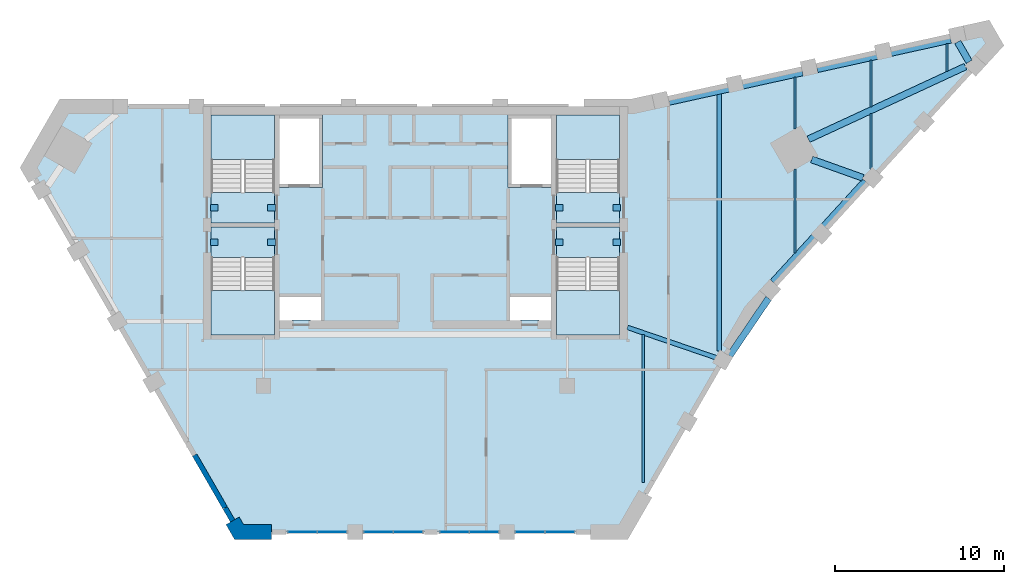
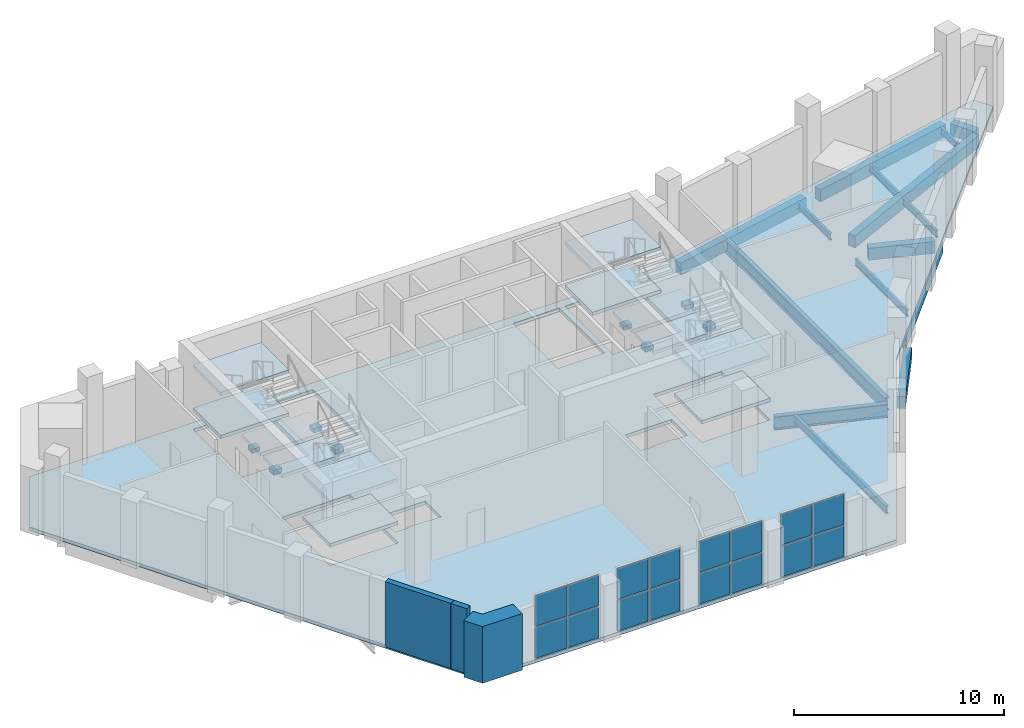
# One storey, part 3 of 9: 23 beams, 16 plates, 13 slabs, 3 walls, 8 elements without a shape of their own.
"""IFC4 building model written with IfcOpenShell, lengths in metres."""

from ifc_helpers import new_model, si_unit, direction, frame, frame_2d, origin, origin_2d, place, context, subcontext, project, spatial, polyline, rectangle, i_section, outline, extrude, material, layer, layer_set, material_profile, profile_set, type_object, element, aggregate, save


model = new_model("IFC4")

# Units and contexts
model_context = context("Model", 3, precision=1e-05, world=origin(), true_north=direction((0.0, 1.0)))
body_context = subcontext(model_context, "Body", "Model", "MODEL_VIEW")
ifc_project = project(units=[si_unit("LENGTHUNIT", "METRE"), si_unit("AREAUNIT", "SQUARE_METRE"), si_unit("VOLUMEUNIT", "CUBIC_METRE"), si_unit("PLANEANGLEUNIT", "RADIAN"), si_unit("MASSUNIT", "GRAM", prefix="KILO")], contexts=[model_context])

# Site, building, storey
site_placement = place(None, origin())
site = spatial("IfcSite", under=ifc_project, at=site_placement, CompositionType="ELEMENT")
building_placement = place(site_placement, origin())
building = spatial("IfcBuilding", under=site, at=building_placement, Name="Calabash Gate Tower", CompositionType="ELEMENT")
storey_placement = place(building_placement, frame((0.0, 0.0, 325.5)))
storey = spatial("IfcBuildingStorey", under=building, at=storey_placement, Name="L76", CompositionType="ELEMENT", Elevation=325.5)

# Beams
ifc_material_1 = material(Name="Concrete C50/60", Category="concrete")
ifc_material_profile_1 = material_profile(ifc_material_1, rectangle(XDim=0.39990234375, YDim=0.699951171875, at=origin_2d()))
ifc_profile_set_1 = profile_set([ifc_material_profile_1], Name="Concrete C50/60")
beam_type_1 = type_object("IfcBeamType", Name="Edge beam RC 400x700 Concrete C50/60", PredefinedType="BEAM", material=ifc_profile_set_1)
beam_1_placement = place(storey_placement, frame((18.623046875, 4.283935546875, -0.550048828125), z_axis=(0.561853107026, 0.827237019315, 0.0), x_axis=(-0.827237019315, 0.561853107026, 0.0)))
element("IfcBeam", 1, at=beam_1_placement, inside=storey, type_object=beam_type_1, Name="Edge beam L76 1", PredefinedType="BEAM", context=body_context, shape_type="SweptSolid", body=[
    extrude(rectangle(XDim=0.39990234375, YDim=0.699951171875, at=origin_2d()), origin(), (0.0, 0.0, 1.0), 4.107666015625),
])
beam_2_placement = place(storey_placement, frame((21.18701171875, 8.652099609375, -0.550048828125), z_axis=(0.674873802315, 0.737933161573, 0.0), x_axis=(-0.737933161573, 0.674873802315, 0.0)))
element("IfcBeam", 2, at=beam_2_placement, inside=storey, type_object=beam_type_1, Name="Edge beam L76 2", PredefinedType="BEAM", context=body_context, shape_type="SweptSolid", body=[
    extrude(rectangle(XDim=0.39990234375, YDim=0.699951171875, at=origin_2d()), origin(), (0.0, 0.0, 1.0), 8.099365234375),
])
beam_3_placement = place(storey_placement, frame((26.51904296875, 14.822998046875, -0.550048828125), z_axis=(-0.941568596034, 0.336821286386, 0.0), x_axis=(-0.336821286386, -0.941568596034, 0.0)))
element("IfcBeam", 3, at=beam_3_placement, inside=storey, type_object=beam_type_1, Name="Edge beam L76 3", PredefinedType="BEAM", context=body_context, shape_type="SweptSolid", body=[
    extrude(rectangle(XDim=0.39990234375, YDim=0.699951171875, at=origin_2d()), origin(), (0.0, 0.0, 1.0), 3.22119140625),
])
beam_4_placement = place(storey_placement, frame((23.2919921875, 17.10693359375, -0.550048828125), z_axis=(0.907348038584, 0.420380228933, 0.0), x_axis=(-0.420380228933, 0.907348038584, 0.0)))
element("IfcBeam", 4, at=beam_4_placement, inside=storey, type_object=beam_type_1, Name="Edge beam L76 4", PredefinedType="BEAM", context=body_context, shape_type="SweptSolid", body=[
    extrude(rectangle(XDim=0.39990234375, YDim=0.699951171875, at=origin_2d()), origin(), (0.0, 0.0, 1.0), 10.255126953125),
])
beam_5_placement = place(storey_placement, frame((32.81591796875, 21.694091796875, -0.550048828125), z_axis=(-0.499903734186, 0.866080975745, 0.0), x_axis=(-0.866080975745, -0.499903734186, 0.0)))
element("IfcBeam", 5, at=beam_5_placement, inside=storey, type_object=beam_type_1, Name="Edge beam L76 5", PredefinedType="BEAM", context=body_context, shape_type="SweptSolid", body=[
    extrude(rectangle(XDim=0.39990234375, YDim=0.699951171875, at=origin_2d()), origin(), (0.0, 0.0, 1.0), 1.360107421875),
])
beam_6_placement = place(storey_placement, frame((31.72705078125, 23.006103515625, -0.550048828125), z_axis=(-0.976492437334, -0.215551663945, 0.0), x_axis=(0.215551663945, -0.976492437334, 0.0)))
element("IfcBeam", 6, at=beam_6_placement, inside=storey, type_object=beam_type_1, Name="Edge beam L76 6", PredefinedType="BEAM", context=body_context, shape_type="SweptSolid", body=[
    extrude(rectangle(XDim=0.39990234375, YDim=0.699951171875, at=origin_2d()), origin(), (0.0, 0.0, 1.0), 8.1005859375),
])
beam_7_placement = place(storey_placement, frame((22.93603515625, 21.06591796875, -0.550048828125), z_axis=(-0.976517152373, -0.215439669332, 0.0), x_axis=(0.215439669332, -0.976517152373, 0.0)))
element("IfcBeam", 7, at=beam_7_placement, inside=storey, type_object=beam_type_1, Name="Edge beam L76 7", PredefinedType="BEAM", context=body_context, shape_type="SweptSolid", body=[
    extrude(rectangle(XDim=0.39990234375, YDim=0.699951171875, at=origin_2d()), origin(), (0.0, 0.0, 1.0), 8.09912109375),
])
ifc_material_2 = material(Name="Steel ASTM A992 Gr50", Category="steel")
ifc_material_profile_2 = material_profile(ifc_material_2, i_section(OverallWidth=0.1396484375, OverallDepth=0.398681640625, WebThickness=0.00634765625, FlangeThickness=0.0087890625, FilletRadius=0.01025390625, at=origin_2d()))
ifc_profile_set_2 = profile_set([ifc_material_profile_2], Name="Steel ASTM A992 Gr50")
beam_type_2 = type_object("IfcBeamType", Name="Floor beam W16x26 ASTM A992 Gr50", PredefinedType="BEAM", material=ifc_profile_set_2)
beam_8_placement = place(storey_placement, frame((22.5, 10.3720703125, -0.39892578125), z_axis=(0.0, 1.0, 0.0), x_axis=(-1.0, 0.0, 0.0)))
element("IfcBeam", 8, at=beam_8_placement, inside=storey, type_object=beam_type_2, Name="Floor beam L76 7", PredefinedType="BEAM", context=body_context, shape_type="SweptSolid", body=[
    extrude(i_section(OverallWidth=0.1396484375, OverallDepth=0.398681640625, WebThickness=0.00634765625, FlangeThickness=0.0087890625, FilletRadius=0.01025390625, at=origin_2d()), origin(), (0.0, 0.0, 1.0), 4.969970703125),
])
beam_9_placement = place(storey_placement, frame((22.5, 17.702880859375, -0.39892578125), z_axis=(0.0, 1.0, 0.0), x_axis=(-1.0, 0.0, 0.0)))
element("IfcBeam", 9, at=beam_9_placement, inside=storey, type_object=beam_type_2, Name="Floor beam L76 8", PredefinedType="BEAM", context=body_context, shape_type="SweptSolid", body=[
    extrude(i_section(OverallWidth=0.1396484375, OverallDepth=0.398681640625, WebThickness=0.00634765625, FlangeThickness=0.0087890625, FilletRadius=0.01025390625, at=origin_2d()), origin(), (0.0, 0.0, 1.0), 3.09423828125),
])
beam_10_placement = place(storey_placement, frame((27.0, 15.35693359375, -0.39892578125), z_axis=(0.0, 1.0, 0.0), x_axis=(-1.0, 0.0, 0.0)))
element("IfcBeam", 10, at=beam_10_placement, inside=storey, type_object=beam_type_2, Name="Floor beam L76 9", PredefinedType="BEAM", context=body_context, shape_type="SweptSolid", body=[
    extrude(i_section(OverallWidth=0.1396484375, OverallDepth=0.398681640625, WebThickness=0.00634765625, FlangeThickness=0.0087890625, FilletRadius=0.01025390625, at=origin_2d()), origin(), (0.0, 0.0, 1.0), 3.27001953125),
])
beam_11_placement = place(storey_placement, frame((27.0, 19.02197265625, -0.39892578125), z_axis=(0.0, 1.0, 0.0), x_axis=(-1.0, 0.0, 0.0)))
element("IfcBeam", 11, at=beam_11_placement, inside=storey, type_object=beam_type_2, Name="Floor beam L76 10", PredefinedType="BEAM", context=body_context, shape_type="SweptSolid", body=[
    extrude(i_section(OverallWidth=0.1396484375, OverallDepth=0.398681640625, WebThickness=0.00634765625, FlangeThickness=0.0087890625, FilletRadius=0.01025390625, at=origin_2d()), origin(), (0.0, 0.0, 1.0), 2.76806640625),
])
beam_12_placement = place(storey_placement, frame((31.5, 21.10888671875, -0.39892578125), z_axis=(0.0, 1.0, 0.0), x_axis=(-1.0, 0.0, 0.0)))
element("IfcBeam", 12, at=beam_12_placement, inside=storey, type_object=beam_type_2, Name="Floor beam L76 11", PredefinedType="BEAM", context=body_context, shape_type="SweptSolid", body=[
    extrude(i_section(OverallWidth=0.1396484375, OverallDepth=0.398681640625, WebThickness=0.00634765625, FlangeThickness=0.0087890625, FilletRadius=0.01025390625, at=origin_2d()), origin(), (0.0, 0.0, 1.0), 1.674072265625),
])
ifc_material_3 = material(Name="Steel ASTM A992 Gr50", Category="steel")
ifc_material_profile_3 = material_profile(ifc_material_3, i_section(OverallWidth=0.15234375, OverallDepth=0.44970703125, WebThickness=0.007568359375, FlangeThickness=0.0107421875, FilletRadius=0.01025390625, at=origin_2d()))
ifc_profile_set_3 = profile_set([ifc_material_profile_3], Name="Steel ASTM A992 Gr50")
beam_type_3 = type_object("IfcBeamType", Name="Floor beam W18x35 ASTM A992 Gr50", PredefinedType="BEAM", material=ifc_profile_set_3)
beam_13_placement = place(storey_placement, frame((13.5, -3.2470703125, -0.423095703125), z_axis=(0.0, 1.0, 0.0), x_axis=(-1.0, 0.0, 0.0)))
element("IfcBeam", 13, at=beam_13_placement, inside=storey, type_object=beam_type_3, Name="Floor beam L76 5", PredefinedType="BEAM", context=body_context, shape_type="SweptSolid", body=[
    extrude(i_section(OverallWidth=0.15234375, OverallDepth=0.44970703125, WebThickness=0.007568359375, FlangeThickness=0.0107421875, FilletRadius=0.01025390625, at=origin_2d()), origin(), (0.0, 0.0, 1.0), 8.778076171875),
])
ifc_material_4 = material(Name="Steel ASTM A992 Gr50", Category="steel")
ifc_material_profile_4 = material_profile(ifc_material_4, i_section(OverallWidth=0.2666015625, OverallDepth=0.7568359375, WebThickness=0.013916015625, FlangeThickness=0.019287109375, FilletRadius=0.0166015625, at=origin_2d()))
ifc_profile_set_4 = profile_set([ifc_material_profile_4], Name="Steel ASTM A992 Gr50")
beam_type_4 = type_object("IfcBeamType", Name="Floor beam W30x108 ASTM A992 Gr50", PredefinedType="BEAM", material=ifc_profile_set_4)
beam_14_placement = place(storey_placement, frame((18.0, 4.547119140625, -0.577880859375), z_axis=(0.0, 1.0, 0.0), x_axis=(-1.0, 0.0, 0.0)))
element("IfcBeam", 14, at=beam_14_placement, inside=storey, type_object=beam_type_4, Name="Floor beam L76 6", PredefinedType="BEAM", context=body_context, shape_type="SweptSolid", body=[
    extrude(i_section(OverallWidth=0.2666015625, OverallDepth=0.7568359375, WebThickness=0.013916015625, FlangeThickness=0.019287109375, FilletRadius=0.0166015625, at=origin_2d()), origin(), (0.0, 0.0, 1.0), 15.2568359375),
])
ifc_material_5 = material(Name="Steel ASTM A992 Gr50", Category="steel")
ifc_material_profile_5 = material_profile(ifc_material_5, i_section(OverallWidth=0.2666015625, OverallDepth=0.77978515625, WebThickness=0.0166015625, FlangeThickness=0.030029296875, FilletRadius=0.0166015625, at=origin_2d()))
ifc_profile_set_5 = profile_set([ifc_material_profile_5], Name="Steel ASTM A992 Gr50")
beam_type_5 = type_object("IfcBeamType", Name="Girder W30x148 ASTM A992 Gr50", PredefinedType="BEAM", material=ifc_profile_set_5)
beam_15_placement = place(storey_placement, frame((17.803955078125, 4.16796875, -0.590087890625), z_axis=(-0.946191727355, 0.323606574539, 0.0), x_axis=(-0.323606574539, -0.946191727355, 0.0)))
element("IfcBeam", 15, at=beam_15_placement, inside=storey, type_object=beam_type_5, Name="Girder L76 3", PredefinedType="BEAM", context=body_context, shape_type="SweptSolid", body=[
    extrude(i_section(OverallWidth=0.2666015625, OverallDepth=0.77978515625, WebThickness=0.0166015625, FlangeThickness=0.030029296875, FilletRadius=0.0166015625, at=origin_2d()), origin(), (0.0, 0.0, 1.0), 5.531494140625),
])
ifc_material_6 = material(Name="Concrete C60/75", Category="concrete")
ifc_material_profile_6 = material_profile(ifc_material_6, rectangle(XDim=0.39990234375, YDim=0.25, at=origin_2d()))
ifc_profile_set_6 = profile_set([ifc_material_profile_6], Name="Concrete C60/75")
beam_type_6 = type_object("IfcBeamType", Name="Landing corbel RC 400x250 Concrete C60/75", PredefinedType="BEAM", material=ifc_profile_set_6)
for number, where, z_axis, x_axis, name in (
    (16, (-12.14990234375, 13.052978515625, 2.174072265625), (1.0, 0.0, 0.0), (0.0, 1.0, 0.0), "Landing corbel ST1-L76/L2 west"),
    (17, (-8.300048828125, 13.052978515625, 2.174072265625), (-1.0, 0.0, 0.0), (0.0, -1.0, 0.0), "Landing corbel ST1-L76/L2 east"),
    (18, (-12.14990234375, 11.0029296875, 2.174072265625), (1.0, 0.0, 0.0), (0.0, 1.0, 0.0), "Landing corbel ST2-L76/L2 west"),
    (19, (-8.300048828125, 11.0029296875, 2.174072265625), (-1.0, 0.0, 0.0), (0.0, -1.0, 0.0), "Landing corbel ST2-L76/L2 east"),
    (20, (8.300048828125, 13.052978515625, 2.174072265625), (1.0, 0.0, 0.0), (0.0, 1.0, 0.0), "Landing corbel ST3-L76/L2 west"),
    (21, (12.14990234375, 13.052978515625, 2.174072265625), (-1.0, 0.0, 0.0), (0.0, -1.0, 0.0), "Landing corbel ST3-L76/L2 east"),
    (22, (8.300048828125, 11.0029296875, 2.174072265625), (1.0, 0.0, 0.0), (0.0, 1.0, 0.0), "Landing corbel ST4-L76/L2 west"),
    (23, (12.14990234375, 11.0029296875, 2.174072265625), (-1.0, 0.0, 0.0), (0.0, -1.0, 0.0), "Landing corbel ST4-L76/L2 east"),
):
    element("IfcBeam", number, at=place(storey_placement, frame(where, z_axis=z_axis, x_axis=x_axis)), inside=storey, type_object=beam_type_6, Name=name, PredefinedType="BEAM", context=body_context, shape_type="SweptSolid", body=[
        extrude(rectangle(XDim=0.39990234375, YDim=0.25, at=origin_2d()), origin(), (0.0, 0.0, 1.0), 0.449951171875),
    ])

# Curtain wall, plates
ifc_material_7 = material(Name="Anodised aluminium frame, bronze finish, clear laminated impact-rated glazing", Category="aluminium")
curtain_wall_type = type_object("IfcCurtainWallType", Name="Curtain wall CWV crown wall", PredefinedType="NOTDEFINED", material=ifc_material_7)
curtain_wall_1_placement = place(storey_placement, origin())
curtain_wall_1 = element("IfcCurtainWall", 24, at=curtain_wall_1_placement, inside=storey, type_object=curtain_wall_type, Name="Curtain wall CWV L76 crown1.1", PredefinedType="NOTDEFINED")
ifc_material_8 = material(Name="Clear laminated impact-rated glazing", Category="glass")
ifc_layer_1 = layer(ifc_material_8, 0.0439453125)
ifc_layer_set_1 = layer_set([ifc_layer_1], Name="Glass panel CWV 44")
plate_type = type_object("IfcPlateType", Name="Glass panel CWV 44", PredefinedType="CURTAIN_PANEL", material=ifc_layer_set_1)
plate_1_placement = place(storey_placement, frame((-6.6953125, -6.1630859375, 0.074951171875), z_axis=(0.0, 0.0, 1.0), x_axis=(1.0, 0.0, 0.0)))
plate_1 = element("IfcPlate", 25, at=plate_1_placement, type_object=plate_type, Name="CWV panel 1.1", PredefinedType="CURTAIN_PANEL", context=body_context, shape_type="SweptSolid", body=[
    extrude(rectangle(XDim=1.6875, YDim=0.0439453125, at=origin_2d()), origin(), (0.0, 0.0, 1.0), 1.78759765625),
])
plate_2_placement = place(storey_placement, frame((-6.6953125, -6.1630859375, 1.9375), z_axis=(0.0, 0.0, 1.0), x_axis=(1.0, 0.0, 0.0)))
plate_2 = element("IfcPlate", 26, at=plate_2_placement, type_object=plate_type, Name="CWV panel 1.2", PredefinedType="CURTAIN_PANEL", context=body_context, shape_type="SweptSolid", body=[
    extrude(rectangle(XDim=1.6875, YDim=0.0439453125, at=origin_2d()), origin(), (0.0, 0.0, 1.0), 1.78759765625),
])
plate_3_placement = place(storey_placement, frame((-4.932861328125, -6.1630859375, 0.074951171875), z_axis=(0.0, 0.0, 1.0), x_axis=(1.0, 0.0, 0.0)))
plate_3 = element("IfcPlate", 27, at=plate_3_placement, type_object=plate_type, Name="CWV panel 2.1", PredefinedType="CURTAIN_PANEL", context=body_context, shape_type="SweptSolid", body=[
    extrude(rectangle(XDim=1.6875, YDim=0.0439453125, at=origin_2d()), origin(), (0.0, 0.0, 1.0), 1.78759765625),
])
plate_4_placement = place(storey_placement, frame((-4.932861328125, -6.1630859375, 1.9375), z_axis=(0.0, 0.0, 1.0), x_axis=(1.0, 0.0, 0.0)))
plate_4 = element("IfcPlate", 28, at=plate_4_placement, type_object=plate_type, Name="CWV panel 2.2", PredefinedType="CURTAIN_PANEL", context=body_context, shape_type="SweptSolid", body=[
    extrude(rectangle(XDim=1.6875, YDim=0.0439453125, at=origin_2d()), origin(), (0.0, 0.0, 1.0), 1.78759765625),
])
aggregate(curtain_wall_1, [plate_1, plate_2, plate_3, plate_4])

curtain_wall_2_placement = place(storey_placement, origin())
curtain_wall_2 = element("IfcCurtainWall", 29, at=curtain_wall_2_placement, inside=storey, type_object=curtain_wall_type, Name="Curtain wall CWV L76 crown1.2", PredefinedType="NOTDEFINED")
plate_5_placement = place(storey_placement, frame((-2.1953125, -6.1630859375, 0.074951171875), z_axis=(0.0, 0.0, 1.0), x_axis=(1.0, 0.0, 0.0)))
plate_5 = element("IfcPlate", 30, at=plate_5_placement, type_object=plate_type, Name="CWV panel 1.1", PredefinedType="CURTAIN_PANEL", context=body_context, shape_type="SweptSolid", body=[
    extrude(rectangle(XDim=1.6875, YDim=0.0439453125, at=origin_2d()), origin(), (0.0, 0.0, 1.0), 1.78759765625),
])
plate_6_placement = place(storey_placement, frame((-2.1953125, -6.1630859375, 1.9375), z_axis=(0.0, 0.0, 1.0), x_axis=(1.0, 0.0, 0.0)))
plate_6 = element("IfcPlate", 31, at=plate_6_placement, type_object=plate_type, Name="CWV panel 1.2", PredefinedType="CURTAIN_PANEL", context=body_context, shape_type="SweptSolid", body=[
    extrude(rectangle(XDim=1.6875, YDim=0.0439453125, at=origin_2d()), origin(), (0.0, 0.0, 1.0), 1.78759765625),
])
plate_7_placement = place(storey_placement, frame((-0.432861328125, -6.1630859375, 0.074951171875), z_axis=(0.0, 0.0, 1.0), x_axis=(1.0, 0.0, 0.0)))
plate_7 = element("IfcPlate", 32, at=plate_7_placement, type_object=plate_type, Name="CWV panel 2.1", PredefinedType="CURTAIN_PANEL", context=body_context, shape_type="SweptSolid", body=[
    extrude(rectangle(XDim=1.6875, YDim=0.0439453125, at=origin_2d()), origin(), (0.0, 0.0, 1.0), 1.78759765625),
])
plate_8_placement = place(storey_placement, frame((-0.432861328125, -6.1630859375, 1.9375), z_axis=(0.0, 0.0, 1.0), x_axis=(1.0, 0.0, 0.0)))
plate_8 = element("IfcPlate", 33, at=plate_8_placement, type_object=plate_type, Name="CWV panel 2.2", PredefinedType="CURTAIN_PANEL", context=body_context, shape_type="SweptSolid", body=[
    extrude(rectangle(XDim=1.6875, YDim=0.0439453125, at=origin_2d()), origin(), (0.0, 0.0, 1.0), 1.78759765625),
])
aggregate(curtain_wall_2, [plate_5, plate_6, plate_7, plate_8])

curtain_wall_3_placement = place(storey_placement, origin())
curtain_wall_3 = element("IfcCurtainWall", 34, at=curtain_wall_3_placement, inside=storey, type_object=curtain_wall_type, Name="Curtain wall CWV L76 crown1.3", PredefinedType="NOTDEFINED")
plate_9_placement = place(storey_placement, frame((2.3046875, -6.1630859375, 0.074951171875), z_axis=(0.0, 0.0, 1.0), x_axis=(1.0, 0.0, 0.0)))
plate_9 = element("IfcPlate", 35, at=plate_9_placement, type_object=plate_type, Name="CWV panel 1.1", PredefinedType="CURTAIN_PANEL", context=body_context, shape_type="SweptSolid", body=[
    extrude(rectangle(XDim=1.6875, YDim=0.0439453125, at=origin_2d()), origin(), (0.0, 0.0, 1.0), 1.78759765625),
])
plate_10_placement = place(storey_placement, frame((2.3046875, -6.1630859375, 1.9375), z_axis=(0.0, 0.0, 1.0), x_axis=(1.0, 0.0, 0.0)))
plate_10 = element("IfcPlate", 36, at=plate_10_placement, type_object=plate_type, Name="CWV panel 1.2", PredefinedType="CURTAIN_PANEL", context=body_context, shape_type="SweptSolid", body=[
    extrude(rectangle(XDim=1.6875, YDim=0.0439453125, at=origin_2d()), origin(), (0.0, 0.0, 1.0), 1.78759765625),
])
plate_11_placement = place(storey_placement, frame((4.067138671875, -6.1630859375, 0.074951171875), z_axis=(0.0, 0.0, 1.0), x_axis=(1.0, 0.0, 0.0)))
plate_11 = element("IfcPlate", 37, at=plate_11_placement, type_object=plate_type, Name="CWV panel 2.1", PredefinedType="CURTAIN_PANEL", context=body_context, shape_type="SweptSolid", body=[
    extrude(rectangle(XDim=1.6875, YDim=0.0439453125, at=origin_2d()), origin(), (0.0, 0.0, 1.0), 1.78759765625),
])
plate_12_placement = place(storey_placement, frame((4.067138671875, -6.1630859375, 1.9375), z_axis=(0.0, 0.0, 1.0), x_axis=(1.0, 0.0, 0.0)))
plate_12 = element("IfcPlate", 38, at=plate_12_placement, type_object=plate_type, Name="CWV panel 2.2", PredefinedType="CURTAIN_PANEL", context=body_context, shape_type="SweptSolid", body=[
    extrude(rectangle(XDim=1.6875, YDim=0.0439453125, at=origin_2d()), origin(), (0.0, 0.0, 1.0), 1.78759765625),
])
aggregate(curtain_wall_3, [plate_9, plate_10, plate_11, plate_12])

curtain_wall_4_placement = place(storey_placement, origin())
curtain_wall_4 = element("IfcCurtainWall", 39, at=curtain_wall_4_placement, inside=storey, type_object=curtain_wall_type, Name="Curtain wall CWV L76 crown1.4", PredefinedType="NOTDEFINED")
plate_13_placement = place(storey_placement, frame((6.8046875, -6.1630859375, 0.074951171875), z_axis=(0.0, 0.0, 1.0), x_axis=(1.0, 0.0, 0.0)))
plate_13 = element("IfcPlate", 40, at=plate_13_placement, type_object=plate_type, Name="CWV panel 1.1", PredefinedType="CURTAIN_PANEL", context=body_context, shape_type="SweptSolid", body=[
    extrude(rectangle(XDim=1.6875, YDim=0.0439453125, at=origin_2d()), origin(), (0.0, 0.0, 1.0), 1.78759765625),
])
plate_14_placement = place(storey_placement, frame((6.8046875, -6.1630859375, 1.9375), z_axis=(0.0, 0.0, 1.0), x_axis=(1.0, 0.0, 0.0)))
plate_14 = element("IfcPlate", 41, at=plate_14_placement, type_object=plate_type, Name="CWV panel 1.2", PredefinedType="CURTAIN_PANEL", context=body_context, shape_type="SweptSolid", body=[
    extrude(rectangle(XDim=1.6875, YDim=0.0439453125, at=origin_2d()), origin(), (0.0, 0.0, 1.0), 1.78759765625),
])
plate_15_placement = place(storey_placement, frame((8.567138671875, -6.1630859375, 0.074951171875), z_axis=(0.0, 0.0, 1.0), x_axis=(1.0, 0.0, 0.0)))
plate_15 = element("IfcPlate", 42, at=plate_15_placement, type_object=plate_type, Name="CWV panel 2.1", PredefinedType="CURTAIN_PANEL", context=body_context, shape_type="SweptSolid", body=[
    extrude(rectangle(XDim=1.6875, YDim=0.0439453125, at=origin_2d()), origin(), (0.0, 0.0, 1.0), 1.78759765625),
])
plate_16_placement = place(storey_placement, frame((8.567138671875, -6.1630859375, 1.9375), z_axis=(0.0, 0.0, 1.0), x_axis=(1.0, 0.0, 0.0)))
plate_16 = element("IfcPlate", 43, at=plate_16_placement, type_object=plate_type, Name="CWV panel 2.2", PredefinedType="CURTAIN_PANEL", context=body_context, shape_type="SweptSolid", body=[
    extrude(rectangle(XDim=1.6875, YDim=0.0439453125, at=origin_2d()), origin(), (0.0, 0.0, 1.0), 1.78759765625),
])
aggregate(curtain_wall_4, [plate_13, plate_14, plate_15, plate_16])

# Slab
ifc_material_9 = material(Name="Concrete C40/50", Category="concrete")
ifc_layer_2 = layer(ifc_material_9, 0.199951171875)
ifc_layer_set_2 = layer_set([ifc_layer_2], Name="Reinforced concrete floor slab 200 Concrete C40/50")
slab_type_1 = type_object("IfcSlabType", Name="Reinforced concrete floor slab 200 Concrete C40/50", PredefinedType="FLOOR", material=ifc_layer_set_2)
slab_1_placement = place(storey_placement, frame((0.0, 0.0, -0.199951171875)))
element("IfcSlab", 44, at=slab_1_placement, inside=storey, type_object=slab_type_1, Name="Floor slab L76", PredefinedType="FLOOR", context=body_context, shape_type="SweptSolid", body=[
    extrude(outline(polyline([(-22.9111328125, 15.41796875), (-20.812744140625, 19.052490234375), (12.88134765625, 19.052490234375), (33.783935546875, 23.664794921875), (34.326904296875, 22.724365234375), (19.88134765625, 6.92822265625), (12.3232421875, -6.1630859375), (-10.451416015625, -6.1630859375), (-22.9111328125, 15.41796875)]), holes=[polyline([(-8.050048828125, 18.552490234375), (-8.050048828125, 14.252685546875), (-5.5, 14.252685546875), (-5.5, 18.552490234375), (-8.050048828125, 18.552490234375)]), polyline([(8.050048828125, 18.552490234375), (5.5, 18.552490234375), (5.5, 14.252685546875), (8.050048828125, 14.252685546875), (8.050048828125, 18.552490234375)]), polyline([(-8.35009765625, 18.552490234375), (-12.10009765625, 18.552490234375), (-12.10009765625, 13.95263671875), (-8.35009765625, 13.95263671875), (-8.35009765625, 18.552490234375)]), polyline([(-12.10009765625, 10.1025390625), (-12.10009765625, 5.502685546875), (-8.35009765625, 5.502685546875), (-8.35009765625, 10.1025390625), (-12.10009765625, 10.1025390625)]), polyline([(8.35009765625, 13.95263671875), (12.10009765625, 13.95263671875), (12.10009765625, 18.552490234375), (8.35009765625, 18.552490234375), (8.35009765625, 13.95263671875)]), polyline([(12.10009765625, 5.502685546875), (12.10009765625, 10.1025390625), (8.35009765625, 10.1025390625), (8.35009765625, 5.502685546875), (12.10009765625, 5.502685546875)]), polyline([(-7.324951171875, 6.3525390625), (-7.324951171875, 6.402587890625), (-6.22509765625, 6.402587890625), (-6.22509765625, 6.3525390625), (-5.5, 6.3525390625), (-5.5, 7.8525390625), (-8.050048828125, 7.8525390625), (-8.050048828125, 6.3525390625), (-7.324951171875, 6.3525390625)]), polyline([(5.5, 6.3525390625), (6.22509765625, 6.3525390625), (6.22509765625, 6.402587890625), (7.324951171875, 6.402587890625), (7.324951171875, 6.3525390625), (8.050048828125, 6.3525390625), (8.050048828125, 7.8525390625), (5.5, 7.8525390625), (5.5, 6.3525390625)])]), origin(), (0.0, 0.0, 1.0), 0.199951171875),
])

# Stair, slabs
ifc_material_10 = material(Name="Concrete C40/50", Category="concrete")
stair_type = type_object("IfcStairType", Name="Exit stair 32 risers of 156.2 mm", PredefinedType="HALF_TURN_STAIR", material=ifc_material_10)
stair_1_placement = place(storey_placement, origin())
stair_1 = element("IfcStair", 45, at=stair_1_placement, inside=storey, type_object=stair_type, Name="L76 Exit stair ST1", PredefinedType="HALF_TURN_STAIR")
ifc_material_11 = material(Name="Concrete C40/50", Category="concrete")
ifc_layer_3 = layer(ifc_material_11, 0.199951171875)
ifc_layer_set_3 = layer_set([ifc_layer_3], Name="Stair landing SL200")
slab_type_2 = type_object("IfcSlabType", Name="Stair landing SL200", PredefinedType="LANDING", material=ifc_layer_set_3)
slab_2_placement = place(storey_placement, frame((0.0, 0.0, 1.050048828125)))
slab_2 = element("IfcSlab", 46, at=slab_2_placement, type_object=slab_type_2, Name="ST1 landing 1", PredefinedType="LANDING", context=body_context, shape_type="SweptSolid", body=[
    extrude(outline(polyline([(-8.35009765625, 15.905517578125), (-8.35009765625, 18.552490234375), (-12.10009765625, 18.552490234375), (-12.10009765625, 15.905517578125), (-8.35009765625, 15.905517578125)])), origin(), (0.0, 0.0, 1.0), 0.199951171875),
])
slab_3_placement = place(storey_placement, frame((0.0, 0.0, 2.300048828125)))
slab_3 = element("IfcSlab", 47, at=slab_3_placement, type_object=slab_type_2, Name="ST1 landing 2", PredefinedType="LANDING", context=body_context, shape_type="SweptSolid", body=[
    extrude(outline(polyline([(-8.35009765625, 12.152587890625), (-8.35009765625, 13.95263671875), (-12.10009765625, 13.95263671875), (-12.10009765625, 12.152587890625), (-8.35009765625, 12.152587890625)])), origin(), (0.0, 0.0, 1.0), 0.199951171875),
])
slab_4_placement = place(storey_placement, frame((0.0, 0.0, 3.550048828125)))
slab_4 = element("IfcSlab", 48, at=slab_4_placement, type_object=slab_type_2, Name="ST1 landing 3", PredefinedType="LANDING", context=body_context, shape_type="SweptSolid", body=[
    extrude(outline(polyline([(-8.35009765625, 15.905517578125), (-8.35009765625, 18.552490234375), (-12.10009765625, 18.552490234375), (-12.10009765625, 15.905517578125), (-8.35009765625, 15.905517578125)])), origin(), (0.0, 0.0, 1.0), 0.199951171875),
])
aggregate(stair_1, [slab_2, slab_3, slab_4])

stair_2_placement = place(storey_placement, origin())
stair_2 = element("IfcStair", 49, at=stair_2_placement, inside=storey, type_object=stair_type, Name="L76 Exit stair ST2", PredefinedType="HALF_TURN_STAIR")
slab_5_placement = place(storey_placement, frame((0.0, 0.0, 1.050048828125)))
slab_5 = element("IfcSlab", 50, at=slab_5_placement, type_object=slab_type_2, Name="ST2 landing 1", PredefinedType="LANDING", context=body_context, shape_type="SweptSolid", body=[
    extrude(outline(polyline([(-12.10009765625, 8.149658203125), (-12.10009765625, 5.502685546875), (-8.35009765625, 5.502685546875), (-8.35009765625, 8.149658203125), (-12.10009765625, 8.149658203125)])), origin(), (0.0, 0.0, 1.0), 0.199951171875),
])
slab_6_placement = place(storey_placement, frame((0.0, 0.0, 2.300048828125)))
slab_6 = element("IfcSlab", 51, at=slab_6_placement, type_object=slab_type_2, Name="ST2 landing 2", PredefinedType="LANDING", context=body_context, shape_type="SweptSolid", body=[
    extrude(outline(polyline([(-12.10009765625, 11.902587890625), (-12.10009765625, 10.1025390625), (-8.35009765625, 10.1025390625), (-8.35009765625, 11.902587890625), (-12.10009765625, 11.902587890625)])), origin(), (0.0, 0.0, 1.0), 0.199951171875),
])
slab_7_placement = place(storey_placement, frame((0.0, 0.0, 3.550048828125)))
slab_7 = element("IfcSlab", 52, at=slab_7_placement, type_object=slab_type_2, Name="ST2 landing 3", PredefinedType="LANDING", context=body_context, shape_type="SweptSolid", body=[
    extrude(outline(polyline([(-12.10009765625, 8.149658203125), (-12.10009765625, 5.502685546875), (-8.35009765625, 5.502685546875), (-8.35009765625, 8.149658203125), (-12.10009765625, 8.149658203125)])), origin(), (0.0, 0.0, 1.0), 0.199951171875),
])
aggregate(stair_2, [slab_5, slab_6, slab_7])

stair_3_placement = place(storey_placement, origin())
stair_3 = element("IfcStair", 53, at=stair_3_placement, inside=storey, type_object=stair_type, Name="L76 Exit stair ST3", PredefinedType="HALF_TURN_STAIR")
slab_8_placement = place(storey_placement, frame((0.0, 0.0, 1.050048828125)))
slab_8 = element("IfcSlab", 54, at=slab_8_placement, type_object=slab_type_2, Name="ST3 landing 1", PredefinedType="LANDING", context=body_context, shape_type="SweptSolid", body=[
    extrude(outline(polyline([(12.10009765625, 15.905517578125), (12.10009765625, 18.552490234375), (8.35009765625, 18.552490234375), (8.35009765625, 15.905517578125), (12.10009765625, 15.905517578125)])), origin(), (0.0, 0.0, 1.0), 0.199951171875),
])
slab_9_placement = place(storey_placement, frame((0.0, 0.0, 2.300048828125)))
slab_9 = element("IfcSlab", 55, at=slab_9_placement, type_object=slab_type_2, Name="ST3 landing 2", PredefinedType="LANDING", context=body_context, shape_type="SweptSolid", body=[
    extrude(outline(polyline([(12.10009765625, 12.152587890625), (12.10009765625, 13.95263671875), (8.35009765625, 13.95263671875), (8.35009765625, 12.152587890625), (12.10009765625, 12.152587890625)])), origin(), (0.0, 0.0, 1.0), 0.199951171875),
])
slab_10_placement = place(storey_placement, frame((0.0, 0.0, 3.550048828125)))
slab_10 = element("IfcSlab", 56, at=slab_10_placement, type_object=slab_type_2, Name="ST3 landing 3", PredefinedType="LANDING", context=body_context, shape_type="SweptSolid", body=[
    extrude(outline(polyline([(12.10009765625, 15.905517578125), (12.10009765625, 18.552490234375), (8.35009765625, 18.552490234375), (8.35009765625, 15.905517578125), (12.10009765625, 15.905517578125)])), origin(), (0.0, 0.0, 1.0), 0.199951171875),
])
aggregate(stair_3, [slab_8, slab_9, slab_10])

stair_4_placement = place(storey_placement, origin())
stair_4 = element("IfcStair", 57, at=stair_4_placement, inside=storey, type_object=stair_type, Name="L76 Exit stair ST4", PredefinedType="HALF_TURN_STAIR")
slab_11_placement = place(storey_placement, frame((0.0, 0.0, 1.050048828125)))
slab_11 = element("IfcSlab", 58, at=slab_11_placement, type_object=slab_type_2, Name="ST4 landing 1", PredefinedType="LANDING", context=body_context, shape_type="SweptSolid", body=[
    extrude(outline(polyline([(8.35009765625, 8.149658203125), (8.35009765625, 5.502685546875), (12.10009765625, 5.502685546875), (12.10009765625, 8.149658203125), (8.35009765625, 8.149658203125)])), origin(), (0.0, 0.0, 1.0), 0.199951171875),
])
slab_12_placement = place(storey_placement, frame((0.0, 0.0, 2.300048828125)))
slab_12 = element("IfcSlab", 59, at=slab_12_placement, type_object=slab_type_2, Name="ST4 landing 2", PredefinedType="LANDING", context=body_context, shape_type="SweptSolid", body=[
    extrude(outline(polyline([(8.35009765625, 11.902587890625), (8.35009765625, 10.1025390625), (12.10009765625, 10.1025390625), (12.10009765625, 11.902587890625), (8.35009765625, 11.902587890625)])), origin(), (0.0, 0.0, 1.0), 0.199951171875),
])
slab_13_placement = place(storey_placement, frame((0.0, 0.0, 3.550048828125)))
slab_13 = element("IfcSlab", 60, at=slab_13_placement, type_object=slab_type_2, Name="ST4 landing 3", PredefinedType="LANDING", context=body_context, shape_type="SweptSolid", body=[
    extrude(outline(polyline([(8.35009765625, 8.149658203125), (8.35009765625, 5.502685546875), (12.10009765625, 5.502685546875), (12.10009765625, 8.149658203125), (8.35009765625, 8.149658203125)])), origin(), (0.0, 0.0, 1.0), 0.199951171875),
])
aggregate(stair_4, [slab_11, slab_12, slab_13])

# Walls
ifc_material_12 = material(Name="Terracotta brick masonry, exposed face", Category="masonry")
ifc_layer_4 = layer(ifc_material_12, 0.89990234375)
ifc_layer_set_4 = layer_set([ifc_layer_4], Name="Brick end wall 900")
wall_type_1 = type_object("IfcWallType", Name="Brick end wall 900", PredefinedType="SOLIDWALL", material=ifc_layer_set_4)
wall_1_placement = place(storey_placement, origin())
element("IfcWall", 61, at=wall_1_placement, inside=storey, type_object=wall_type_1, Name="Brick end wall L76 1", PredefinedType="SOLIDWALL", context=body_context, shape_type="SweptSolid", body=[
    extrude(outline(polyline([(-10.441650390625, -5.280029296875), (-11.220947265625, -5.730224609375), (-10.711181640625, -6.61328125), (-8.51416015625, -6.61328125), (-8.51416015625, -5.713134765625), (-10.19140625, -5.713134765625), (-10.441650390625, -5.280029296875)])), origin(), (0.0, 0.0, 1.0), 3.29736328125),
])
ifc_material_13 = material(Name="Terracotta louvre blades in an aluminium frame", Category="masonry")
ifc_layer_5 = layer(ifc_material_13, 0.300048828125)
ifc_layer_set_5 = layer_set([ifc_layer_5], Name="Terracotta louvre wall 300")
wall_type_2 = type_object("IfcWallType", Name="Terracotta louvre wall 300", PredefinedType="ELEMENTEDWALL", material=ifc_layer_set_5)
wall_2_placement = place(storey_placement, frame((-13.081298828125, -1.60791015625, 0.0), z_axis=(0.0, 0.0, 1.0), x_axis=(0.500012057535, -0.866018442252, 0.0)))
element("IfcWall", 62, at=wall_2_placement, inside=storey, type_object=wall_type_2, Name="LOUVRE L76 crown0.5", PredefinedType="ELEMENTEDWALL", context=body_context, shape_type="SweptSolid", body=[
    extrude(rectangle(XDim=3.60009765625, YDim=0.300048828125, at=frame_2d((1.800048828125, 0.0))), origin(), (0.0, 0.0, 1.0), 3.800048828125),
])
wall_3_placement = place(storey_placement, frame((-11.271240234375, -4.7431640625, 0.0), z_axis=(0.0, 0.0, 1.0), x_axis=(0.500036104519, -0.866004557827, 0.0)))
element("IfcWall", 63, at=wall_3_placement, inside=storey, type_object=wall_type_2, Name="LOUVRE L76 edge crown0.c4", PredefinedType="ELEMENTEDWALL", context=body_context, shape_type="SweptSolid", body=[
    extrude(rectangle(XDim=0.8759765625, YDim=0.300048828125, at=frame_2d((0.43798828125, 0.0))), origin(), (0.0, 0.0, 1.0), 3.800048828125),
])

save(model, "model.ifc")
